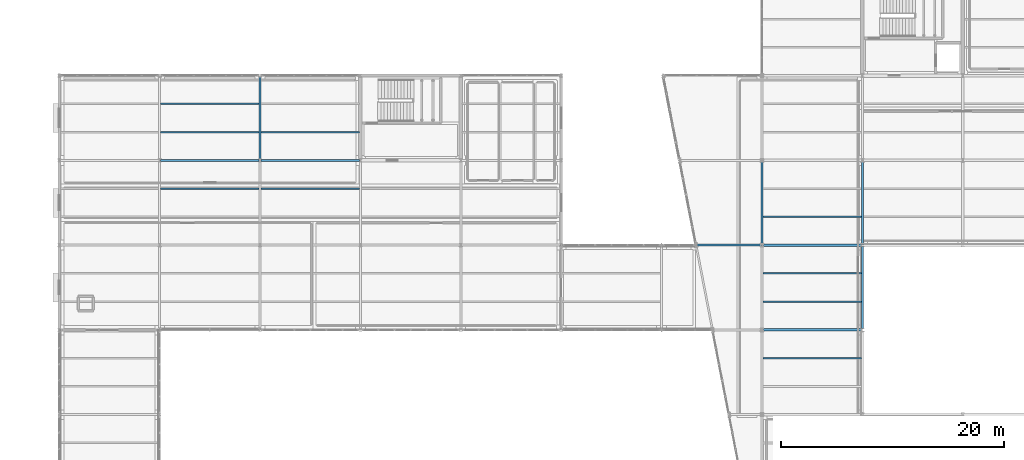
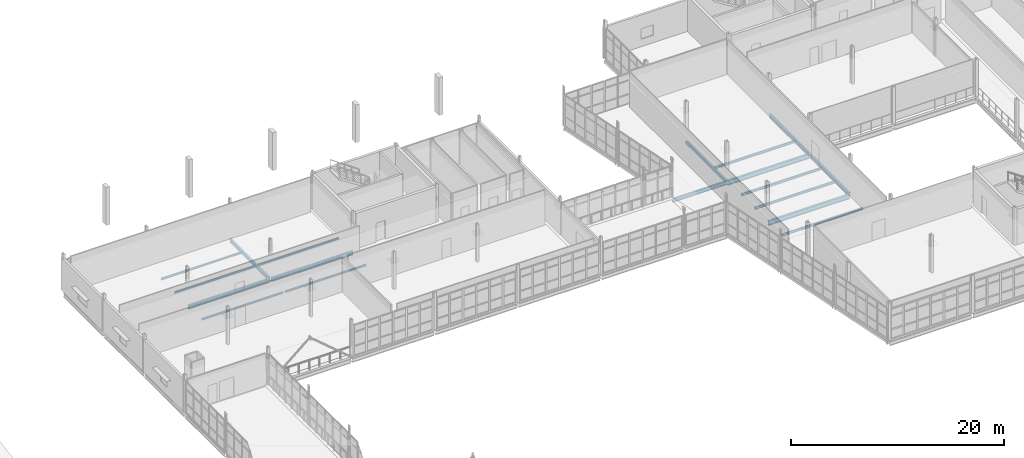
# One storey, part 94 of 166: 18 beams.
"""IFC4 building model written with IfcOpenShell, lengths in metres."""

from ifc_helpers import new_model, si_unit, direction, frame, origin, origin_2d, place, context, subcontext, project, spatial, hollow_rectangle, i_section, extrude, material, material_profile, profile_set, type_object, element, save


model = new_model("IFC4")

# Units and contexts
model_context = context("Model", 3, precision=1e-05, world=origin(), true_north=direction((0.0, 1.0)))
body_context = subcontext(model_context, "Body", "Model", "MODEL_VIEW")
ifc_project = project(units=[si_unit("LENGTHUNIT", "METRE"), si_unit("AREAUNIT", "SQUARE_METRE"), si_unit("VOLUMEUNIT", "CUBIC_METRE"), si_unit("PLANEANGLEUNIT", "RADIAN"), si_unit("MASSUNIT", "GRAM", prefix="KILO")], contexts=[model_context])

# Site, building, storey
site_placement = place(None, origin())
site = spatial("IfcSite", under=ifc_project, at=site_placement, CompositionType="ELEMENT")
building_placement = place(site_placement, origin())
building = spatial("IfcBuilding", under=site, at=building_placement, Name="Caisbarro Railhouse Central Library", CompositionType="ELEMENT")
storey_placement = place(building_placement, frame((0.0, 0.0, 9.360107421875)))
storey = spatial("IfcBuildingStorey", under=building, at=storey_placement, Name="L02", CompositionType="ELEMENT", Elevation=9.360107421875)

# Beams
ifc_material = material(Name="Steel ASTM A572 Grade 50", Category="steel")
ifc_material_profile_1 = material_profile(ifc_material, i_section(OverallWidth=0.208984375, OverallDepth=0.532958984375, WebThickness=0.01025390625, FlangeThickness=0.015625, FilletRadius=0.02001953125, at=origin_2d()), Name="W530X92.0")
ifc_profile_set_1 = profile_set([ifc_material_profile_1], Name="Steel ASTM A572 Grade 50")
beam_type_1 = type_object("IfcBeamType", Name="BM-G06", PredefinedType="BEAM", material=ifc_profile_set_1)
for number, where, z_axis, x_axis, name in (
    (1, (117.080078125, 83.60009765625, -0.486572265625), (1.0, 0.0, 0.0), (0.0, 1.0, 0.0), "G06 beam L02 #1488"),
    (2, (117.080078125, 91.199951171875, -0.486572265625), (1.0, 0.0, 0.0), (0.0, 1.0, 0.0), "G06 beam L02 #1490"),
):
    element("IfcBeam", number, at=place(storey_placement, frame(where, z_axis=z_axis, x_axis=x_axis)), inside=storey, type_object=beam_type_1, Name=name, PredefinedType="BEAM", context=body_context, shape_type="SweptSolid", body=[
        extrude(i_section(OverallWidth=0.208984375, OverallDepth=0.532958984375, WebThickness=0.01025390625, FlangeThickness=0.015625, FilletRadius=0.02001953125, at=origin_2d()), origin(), (0.0, 0.0, 1.0), 8.83984375),
    ])
ifc_material_profile_2 = material_profile(ifc_material, i_section(OverallWidth=0.18994140625, OverallDepth=0.45703125, WebThickness=0.009033203125, FlangeThickness=0.014404296875, FilletRadius=0.01806640625, at=origin_2d()), Name="W460X74.0")
ifc_profile_set_2 = profile_set([ifc_material_profile_2], Name="Steel ASTM A572 Grade 50")
beam_type_2 = type_object("IfcBeamType", Name="BM-G08", PredefinedType="BEAM", material=ifc_profile_set_2)
beam_1_placement = place(storey_placement, frame((126.0, 83.679931640625, -0.448486328125), z_axis=(0.0, 1.0, 0.0), x_axis=(-1.0, 0.0, 0.0)))
element("IfcBeam", 3, at=beam_1_placement, inside=storey, type_object=beam_type_2, Name="G08 beam L02 #1516", PredefinedType="BEAM", context=body_context, shape_type="SweptSolid", body=[
    extrude(i_section(OverallWidth=0.18994140625, OverallDepth=0.45703125, WebThickness=0.009033203125, FlangeThickness=0.014404296875, FilletRadius=0.01806640625, at=origin_2d()), origin(), (0.0, 0.0, 1.0), 7.440185546875),
])
beam_2_placement = place(storey_placement, frame((126.0, 91.280029296875, -0.448486328125), z_axis=(0.0, 1.0, 0.0), x_axis=(-1.0, 0.0, 0.0)))
element("IfcBeam", 4, at=beam_2_placement, inside=storey, type_object=beam_type_2, Name="G08 beam L02 #1517", PredefinedType="BEAM", context=body_context, shape_type="SweptSolid", body=[
    extrude(i_section(OverallWidth=0.18994140625, OverallDepth=0.45703125, WebThickness=0.009033203125, FlangeThickness=0.014404296875, FilletRadius=0.01806640625, at=origin_2d()), origin(), (0.0, 0.0, 1.0), 7.43994140625),
])
for number, where, z_axis, x_axis, name in (
    (5, (63.080078125, 98.800048828125, -0.4287109375), (1.0, 0.0, 0.0), (0.0, 1.0, 0.0), "G08 beam L02 #1663"),
    (6, (72.080078125, 98.800048828125, -0.4287109375), (1.0, 0.0, 0.0), (0.0, 1.0, 0.0), "G08 beam L02 #1664"),
):
    element("IfcBeam", number, at=place(storey_placement, frame(where, z_axis=z_axis, x_axis=x_axis)), inside=storey, type_object=beam_type_2, Name=name, PredefinedType="BEAM", context=body_context, shape_type="SweptSolid", body=[
        extrude(i_section(OverallWidth=0.18994140625, OverallDepth=0.45703125, WebThickness=0.009033203125, FlangeThickness=0.014404296875, FilletRadius=0.01806640625, at=origin_2d()), origin(), (0.0, 0.0, 1.0), 8.83984375),
    ])
ifc_material_profile_3 = material_profile(ifc_material, i_section(OverallWidth=0.180908203125, OverallDepth=0.4169921875, WebThickness=0.010986328125, FlangeThickness=0.018310546875, FilletRadius=0.01611328125, at=origin_2d()), Name="W410X85.0")
ifc_profile_set_3 = profile_set([ifc_material_profile_3], Name="Steel ASTM A572 Grade 50")
beam_type_3 = type_object("IfcBeamType", Name="BM-G09", PredefinedType="BEAM", material=ifc_profile_set_3)
beam_3_placement = place(storey_placement, frame((111.131103515625, 91.199951171875, -0.4287109375), z_axis=(1.0, 0.0, 0.0), x_axis=(0.0, 1.0, 0.0)))
element("IfcBeam", 7, at=beam_3_placement, inside=storey, type_object=beam_type_3, Name="G09 beam L02 #1751", PredefinedType="BEAM", context=body_context, shape_type="SweptSolid", body=[
    extrude(i_section(OverallWidth=0.180908203125, OverallDepth=0.4169921875, WebThickness=0.010986328125, FlangeThickness=0.018310546875, FilletRadius=0.01611328125, at=origin_2d()), origin(), (0.0, 0.0, 1.0), 5.828857421875),
])
ifc_material_profile_4 = material_profile(ifc_material, i_section(OverallWidth=0.177978515625, OverallDepth=0.406982421875, WebThickness=0.0078125, FlangeThickness=0.0126953125, FilletRadius=0.01611328125, at=origin_2d()), Name="W410X60.0")
ifc_profile_set_4 = profile_set([ifc_material_profile_4], Name="Steel ASTM A572 Grade 50")
beam_type_4 = type_object("IfcBeamType", Name="BM-G10", PredefinedType="BEAM", material=ifc_profile_set_4)
beam_4_placement = place(storey_placement, frame((72.0, 98.8798828125, -0.403564453125), z_axis=(0.0, 1.0, 0.0), x_axis=(-1.0, 0.0, 0.0)))
element("IfcBeam", 8, at=beam_4_placement, inside=storey, type_object=beam_type_4, Name="G10 beam L02 #1680", PredefinedType="BEAM", context=body_context, shape_type="SweptSolid", body=[
    extrude(i_section(OverallWidth=0.177978515625, OverallDepth=0.406982421875, WebThickness=0.0078125, FlangeThickness=0.0126953125, FilletRadius=0.01611328125, at=origin_2d()), origin(), (0.0, 0.0, 1.0), 7.440185546875),
])
ifc_material_profile_5 = material_profile(ifc_material, i_section(OverallWidth=0.14794921875, OverallDepth=0.26611328125, WebThickness=0.007568359375, FlangeThickness=0.012939453125, FilletRadius=0.010009765625, at=origin_2d()), Name="W250X44.8")
ifc_profile_set_5 = profile_set([ifc_material_profile_5], Name="Steel ASTM A572 Grade 50")
beam_type_5 = type_object("IfcBeamType", Name="BM-J04", PredefinedType="JOIST", material=ifc_profile_set_5)
for number, where, z_axis, x_axis, name in (
    (9, (117.10009765625, 81.066650390625, -0.35302734375), (1.0, 0.0, 0.0), (0.0, 1.0, 0.0), "J04 beam L02 #1544"),
    (10, (117.10009765625, 86.13330078125, -0.35302734375), (1.0, 0.0, 0.0), (0.0, 1.0, 0.0), "J04 beam L02 #1545"),
    (11, (117.10009765625, 88.666748046875, -0.35302734375), (1.0, 0.0, 0.0), (0.0, 1.0, 0.0), "J04 beam L02 #1546"),
    (12, (117.10009765625, 93.7333984375, -0.35302734375), (1.0, 0.0, 0.0), (0.0, 1.0, 0.0), "J04 beam L02 #1547"),
):
    element("IfcBeam", number, at=place(storey_placement, frame(where, z_axis=z_axis, x_axis=x_axis)), inside=storey, type_object=beam_type_5, Name=name, PredefinedType="JOIST", context=body_context, shape_type="SweptSolid", body=[
        extrude(i_section(OverallWidth=0.14794921875, OverallDepth=0.26611328125, WebThickness=0.007568359375, FlangeThickness=0.012939453125, FilletRadius=0.010009765625, at=origin_2d()), origin(), (0.0, 0.0, 1.0), 8.804931640625),
    ])
ifc_material_profile_6 = material_profile(ifc_material, i_section(OverallWidth=0.133056640625, OverallDepth=0.20703125, WebThickness=0.005859375, FlangeThickness=0.00830078125, FilletRadius=0.010009765625, at=origin_2d()), Name="W200X26.6")
ifc_profile_set_6 = profile_set([ifc_material_profile_6], Name="Steel ASTM A572 Grade 50")
beam_type_6 = type_object("IfcBeamType", Name="BM-J07", PredefinedType="JOIST", material=ifc_profile_set_6)
for number, where, z_axis, x_axis, name in (
    (13, (63.089111328125, 96.2666015625, -0.3037109375), (1.0, 0.0, 0.0), (0.0, 1.0, 0.0), "J07 beam L02 #1699"),
    (14, (63.089111328125, 101.333251953125, -0.3037109375), (1.0, 0.0, 0.0), (0.0, 1.0, 0.0), "J07 beam L02 #1700"),
    (15, (63.089111328125, 103.86669921875, -0.3037109375), (1.0, 0.0, 0.0), (0.0, 1.0, 0.0), "J07 beam L02 #1701"),
    (16, (72.089111328125, 96.2666015625, -0.3037109375), (1.0, 0.0, 0.0), (0.0, 1.0, 0.0), "J07 beam L02 #1705"),
    (17, (72.089111328125, 101.333251953125, -0.3037109375), (1.0, 0.0, 0.0), (0.0, 1.0, 0.0), "J07 beam L02 #1706"),
):
    element("IfcBeam", number, at=place(storey_placement, frame(where, z_axis=z_axis, x_axis=x_axis)), inside=storey, type_object=beam_type_6, Name=name, PredefinedType="JOIST", context=body_context, shape_type="SweptSolid", body=[
        extrude(i_section(OverallWidth=0.133056640625, OverallDepth=0.20703125, WebThickness=0.005859375, FlangeThickness=0.00830078125, FilletRadius=0.010009765625, at=origin_2d()), origin(), (0.0, 0.0, 1.0), 8.82177734375),
    ])
ifc_material_profile_7 = material_profile(ifc_material, hollow_rectangle(XDim=0.199951171875, YDim=0.300048828125, WallThickness=0.012451171875, at=origin_2d()), Name="HSS300X200X12.5")
ifc_profile_set_7 = profile_set([ifc_material_profile_7], Name="Steel ASTM A572 Grade 50")
beam_type_7 = type_object("IfcBeamType", Name="BM-SP02", PredefinedType="SPANDREL", material=ifc_profile_set_7)
beam_5_placement = place(storey_placement, frame((117.0, 91.280029296875, -0.3701171875), z_axis=(0.0, 1.0, 0.0), x_axis=(-1.0, 0.0, 0.0)))
element("IfcBeam", 18, at=beam_5_placement, inside=storey, type_object=beam_type_7, Name="SP02 beam L02 #1510", PredefinedType="SPANDREL", context=body_context, shape_type="SweptSolid", body=[
    extrude(hollow_rectangle(XDim=0.199951171875, YDim=0.300048828125, WallThickness=0.012451171875, at=origin_2d()), origin(), (0.0, 0.0, 1.0), 7.43994140625),
])

save(model, "model.ifc")
